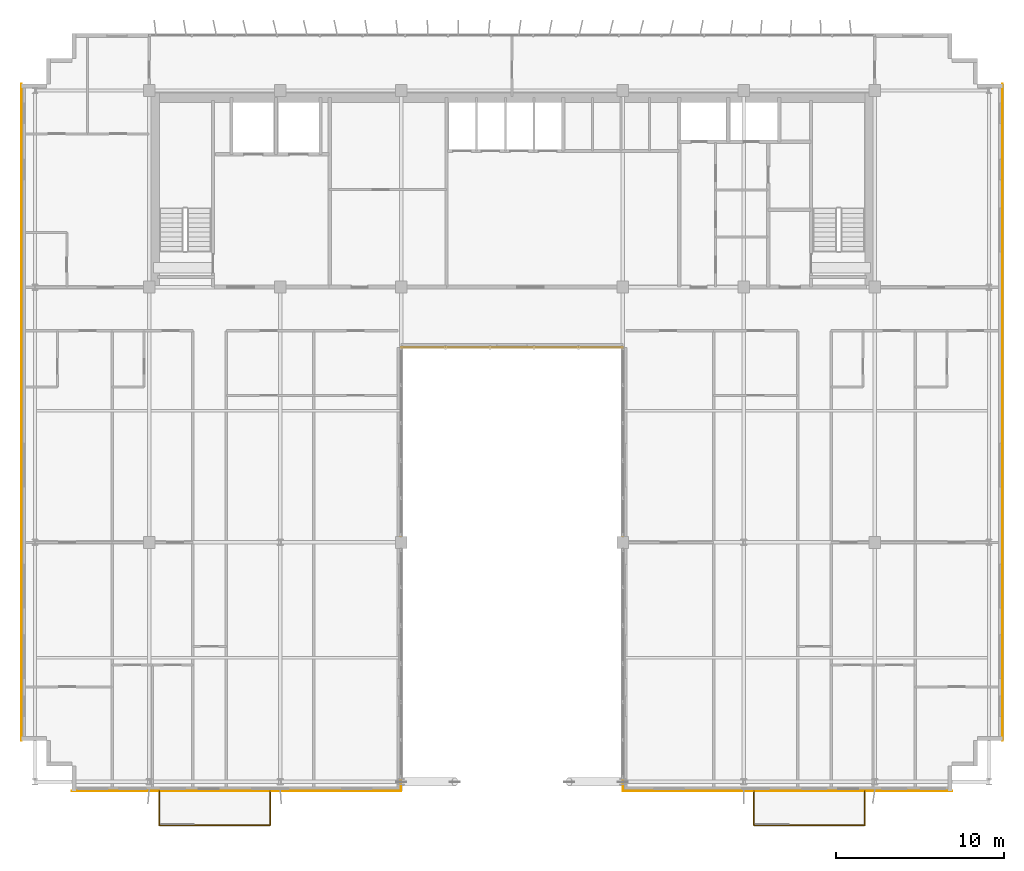
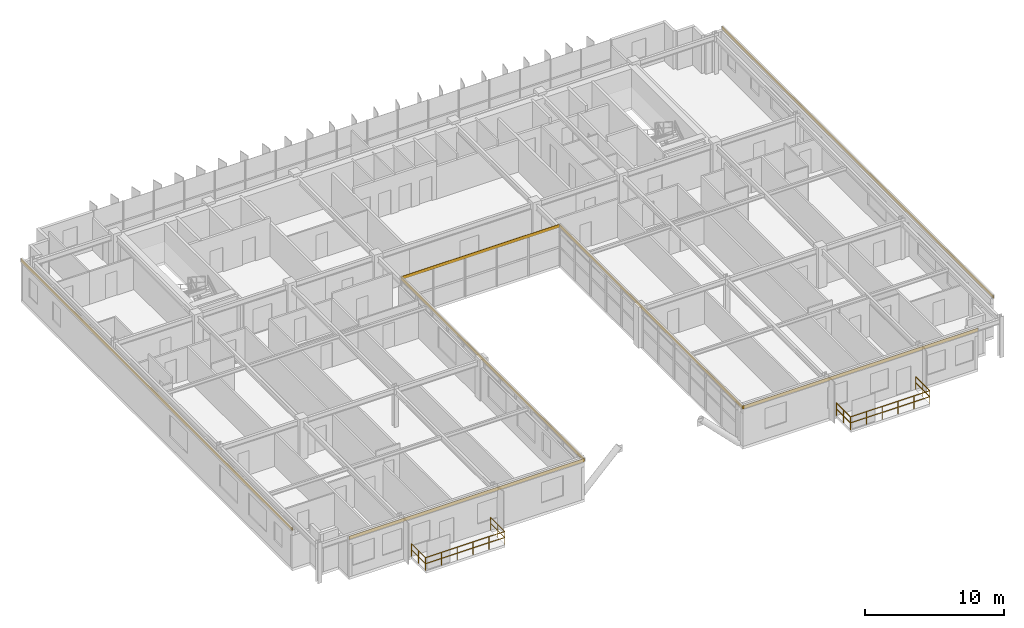
# One storey, part 34 of 35: 7 coverings, 6 railings.
"""IFC4 building model written with IfcOpenShell, lengths in metres."""

from ifc_helpers import new_model, si_unit, direction, frame, origin, origin_2d, place, context, subcontext, project, spatial, rectangle, extrude, source, transform, mapped, material, layer, layer_set, type_object, element, save


model = new_model("IFC4")

# Units and contexts
model_context = context("Model", 3, precision=1e-05, world=origin(), true_north=direction((0.0, 1.0)))
body_context = subcontext(model_context, "Body", "Model", "MODEL_VIEW")
ifc_project = project(units=[si_unit("LENGTHUNIT", "METRE"), si_unit("AREAUNIT", "SQUARE_METRE"), si_unit("VOLUMEUNIT", "CUBIC_METRE"), si_unit("PLANEANGLEUNIT", "RADIAN"), si_unit("MASSUNIT", "GRAM", prefix="KILO")], contexts=[model_context])

# Site, building, storey
site_placement = place(None, origin())
site = spatial("IfcSite", under=ifc_project, at=site_placement, CompositionType="ELEMENT")
building_placement = place(site_placement, origin())
building = spatial("IfcBuilding", under=site, at=building_placement, Name="Trelvane Seafront Commons", CompositionType="ELEMENT")
storey_placement = place(building_placement, frame((0.0, 0.0, 194.10009765625)))
storey = spatial("IfcBuildingStorey", under=building, at=storey_placement, Name="L50", CompositionType="ELEMENT", Elevation=194.10009765625)

# Railings
ifc_material_1 = material(Name="Stainless steel balustrade", Category="steel")
railing_type = type_object("IfcRailingType", Name="ARCH-RAIL-BAL1150", PredefinedType="BALUSTRADE", material=ifc_material_1)
railing_1_placement = place(storey_placement, frame((16.199951171875, 3.39990234375, 0.0)))
element("IfcRailing", 1, at=railing_1_placement, inside=storey, type_object=railing_type, Name="RL-L50-BAL0-01", PredefinedType="BALUSTRADE", context=body_context, shape_type="SweptSolid", body=[
    extrude(rectangle(XDim=0.048095703125, YDim=0.048095703125, at=origin_2d()), frame((0.0, 0.0, 1.1259765625), z_axis=(0.0, -1.0, 0.0), x_axis=(1.0, 0.0, 0.0)), (0.0, 0.0, 1.0), 2.039794921875),
    extrude(rectangle(XDim=0.048095703125, YDim=0.048095703125, at=origin_2d()), frame((0.0, 0.0, 0.597900390625), z_axis=(0.0, -1.0, 0.0), x_axis=(1.0, 0.0, 0.0)), (0.0, 0.0, 1.0), 2.039794921875),
    extrude(rectangle(XDim=0.0419921875, YDim=0.0419921875, at=origin_2d()), origin(), (0.0, 0.0, 1.0), 1.1259765625),
    extrude(rectangle(XDim=0.0419921875, YDim=0.0419921875, at=origin_2d()), frame((0.0, -1.02001953125, 0.0)), (0.0, 0.0, 1.0), 1.1259765625),
    extrude(rectangle(XDim=0.0419921875, YDim=0.0419921875, at=origin_2d()), frame((0.0, -2.039794921875, 0.0)), (0.0, 0.0, 1.0), 1.1259765625),
])
railing_2_placement = place(storey_placement, frame((16.199951171875, 1.360107421875, 0.0)))
element("IfcRailing", 2, at=railing_2_placement, inside=storey, type_object=railing_type, Name="RL-L50-BAL0-02", PredefinedType="BALUSTRADE", context=body_context, shape_type="SweptSolid", body=[
    extrude(rectangle(XDim=0.048095703125, YDim=0.048095703125, at=origin_2d()), frame((0.0, 0.0, 1.1259765625), z_axis=(1.0, 0.0, 0.0), x_axis=(0.0, 1.0, 0.0)), (0.0, 0.0, 1.0), 6.60009765625),
    extrude(rectangle(XDim=0.048095703125, YDim=0.048095703125, at=origin_2d()), frame((0.0, 0.0, 0.597900390625), z_axis=(1.0, 0.0, 0.0), x_axis=(0.0, 1.0, 0.0)), (0.0, 0.0, 1.0), 6.60009765625),
    extrude(rectangle(XDim=0.0419921875, YDim=0.0419921875, at=origin_2d()), origin(), (0.0, 0.0, 1.0), 1.1259765625),
    extrude(rectangle(XDim=0.0419921875, YDim=0.0419921875, at=origin_2d()), frame((1.320068359375, 0.0, 0.0)), (0.0, 0.0, 1.0), 1.1259765625),
    extrude(rectangle(XDim=0.0419921875, YDim=0.0419921875, at=origin_2d()), frame((2.64013671875, 0.0, 0.0)), (0.0, 0.0, 1.0), 1.1259765625),
    extrude(rectangle(XDim=0.0419921875, YDim=0.0419921875, at=origin_2d()), frame((3.9599609375, 0.0, 0.0)), (0.0, 0.0, 1.0), 1.1259765625),
    extrude(rectangle(XDim=0.0419921875, YDim=0.0419921875, at=origin_2d()), frame((5.280029296875, 0.0, 0.0)), (0.0, 0.0, 1.0), 1.1259765625),
    extrude(rectangle(XDim=0.0419921875, YDim=0.0419921875, at=origin_2d()), frame((6.60009765625, 0.0, 0.0)), (0.0, 0.0, 1.0), 1.1259765625),
])
railing_3_placement = place(storey_placement, frame((22.800048828125, 1.360107421875, 0.0)))
element("IfcRailing", 3, at=railing_3_placement, inside=storey, type_object=railing_type, Name="RL-L50-BAL0-03", PredefinedType="BALUSTRADE", context=body_context, shape_type="SweptSolid", body=[
    extrude(rectangle(XDim=0.048095703125, YDim=0.048095703125, at=origin_2d()), frame((0.0, 0.0, 1.1259765625), z_axis=(0.0, 1.0, 0.0), x_axis=(-1.0, 0.0, 0.0)), (0.0, 0.0, 1.0), 2.039794921875),
    extrude(rectangle(XDim=0.048095703125, YDim=0.048095703125, at=origin_2d()), frame((0.0, 0.0, 0.597900390625), z_axis=(0.0, 1.0, 0.0), x_axis=(-1.0, 0.0, 0.0)), (0.0, 0.0, 1.0), 2.039794921875),
    extrude(rectangle(XDim=0.0419921875, YDim=0.0419921875, at=origin_2d()), origin(), (0.0, 0.0, 1.0), 1.1259765625),
    extrude(rectangle(XDim=0.0419921875, YDim=0.0419921875, at=origin_2d()), frame((0.0, 1.02001953125, 0.0)), (0.0, 0.0, 1.0), 1.1259765625),
    extrude(rectangle(XDim=0.0419921875, YDim=0.0419921875, at=origin_2d()), frame((0.0, 2.039794921875, 0.0)), (0.0, 0.0, 1.0), 1.1259765625),
])
railing_4_placement = place(storey_placement, frame((51.60009765625, 3.39990234375, 0.0)))
element("IfcRailing", 4, at=railing_4_placement, inside=storey, type_object=railing_type, Name="RL-L50-BAL1-01", PredefinedType="BALUSTRADE", context=body_context, shape_type="SweptSolid", body=[
    extrude(rectangle(XDim=0.048095703125, YDim=0.048095703125, at=origin_2d()), frame((0.0, 0.0, 1.1259765625), z_axis=(0.0, -1.0, 0.0), x_axis=(1.0, 0.0, 0.0)), (0.0, 0.0, 1.0), 2.039794921875),
    extrude(rectangle(XDim=0.048095703125, YDim=0.048095703125, at=origin_2d()), frame((0.0, 0.0, 0.597900390625), z_axis=(0.0, -1.0, 0.0), x_axis=(1.0, 0.0, 0.0)), (0.0, 0.0, 1.0), 2.039794921875),
    extrude(rectangle(XDim=0.0419921875, YDim=0.0419921875, at=origin_2d()), origin(), (0.0, 0.0, 1.0), 1.1259765625),
    extrude(rectangle(XDim=0.0419921875, YDim=0.0419921875, at=origin_2d()), frame((0.0, -1.02001953125, 0.0)), (0.0, 0.0, 1.0), 1.1259765625),
    extrude(rectangle(XDim=0.0419921875, YDim=0.0419921875, at=origin_2d()), frame((0.0, -2.039794921875, 0.0)), (0.0, 0.0, 1.0), 1.1259765625),
])
railing_5_placement = place(storey_placement, frame((51.60009765625, 1.360107421875, 0.0)))
element("IfcRailing", 5, at=railing_5_placement, inside=storey, type_object=railing_type, Name="RL-L50-BAL1-02", PredefinedType="BALUSTRADE", context=body_context, shape_type="SweptSolid", body=[
    extrude(rectangle(XDim=0.048095703125, YDim=0.048095703125, at=origin_2d()), frame((0.0, 0.0, 1.1259765625), z_axis=(1.0, 0.0, 0.0), x_axis=(0.0, 1.0, 0.0)), (0.0, 0.0, 1.0), 6.599853515625),
    extrude(rectangle(XDim=0.048095703125, YDim=0.048095703125, at=origin_2d()), frame((0.0, 0.0, 0.597900390625), z_axis=(1.0, 0.0, 0.0), x_axis=(0.0, 1.0, 0.0)), (0.0, 0.0, 1.0), 6.599853515625),
    extrude(rectangle(XDim=0.0419921875, YDim=0.0419921875, at=origin_2d()), origin(), (0.0, 0.0, 1.0), 1.1259765625),
    extrude(rectangle(XDim=0.0419921875, YDim=0.0419921875, at=origin_2d()), frame((1.320068359375, 0.0, 0.0)), (0.0, 0.0, 1.0), 1.1259765625),
    extrude(rectangle(XDim=0.0419921875, YDim=0.0419921875, at=origin_2d()), frame((2.639892578125, 0.0, 0.0)), (0.0, 0.0, 1.0), 1.1259765625),
    extrude(rectangle(XDim=0.0419921875, YDim=0.0419921875, at=origin_2d()), frame((3.9599609375, 0.0, 0.0)), (0.0, 0.0, 1.0), 1.1259765625),
    extrude(rectangle(XDim=0.0419921875, YDim=0.0419921875, at=origin_2d()), frame((5.27978515625, 0.0, 0.0)), (0.0, 0.0, 1.0), 1.1259765625),
    extrude(rectangle(XDim=0.0419921875, YDim=0.0419921875, at=origin_2d()), frame((6.599853515625, 0.0, 0.0)), (0.0, 0.0, 1.0), 1.1259765625),
])
railing_6_placement = place(storey_placement, frame((58.199951171875, 1.360107421875, 0.0)))
element("IfcRailing", 6, at=railing_6_placement, inside=storey, type_object=railing_type, Name="RL-L50-BAL1-03", PredefinedType="BALUSTRADE", context=body_context, shape_type="SweptSolid", body=[
    extrude(rectangle(XDim=0.048095703125, YDim=0.048095703125, at=origin_2d()), frame((0.0, 0.0, 1.1259765625), z_axis=(0.0, 1.0, 0.0), x_axis=(-1.0, 0.0, 0.0)), (0.0, 0.0, 1.0), 2.039794921875),
    extrude(rectangle(XDim=0.048095703125, YDim=0.048095703125, at=origin_2d()), frame((0.0, 0.0, 0.597900390625), z_axis=(0.0, 1.0, 0.0), x_axis=(-1.0, 0.0, 0.0)), (0.0, 0.0, 1.0), 2.039794921875),
    extrude(rectangle(XDim=0.0419921875, YDim=0.0419921875, at=origin_2d()), origin(), (0.0, 0.0, 1.0), 1.1259765625),
    extrude(rectangle(XDim=0.0419921875, YDim=0.0419921875, at=origin_2d()), frame((0.0, 1.02001953125, 0.0)), (0.0, 0.0, 1.0), 1.1259765625),
    extrude(rectangle(XDim=0.0419921875, YDim=0.0419921875, at=origin_2d()), frame((0.0, 2.039794921875, 0.0)), (0.0, 0.0, 1.0), 1.1259765625),
])

# Coverings
ifc_material_2 = material(Name="Anodised pale-silver aluminium", Category="aluminium")
ifc_layer = layer(ifc_material_2, 0.034912109375, Name="ARCH-COV-CLAD35")
ifc_layer_set = layer_set([ifc_layer], Name="Anodised pale-silver aluminium")
covering_type = type_object("IfcCoveringType", Name="ARCH-COV-CLAD35", PredefinedType="CLADDING", material=ifc_layer_set)
shared_shape_1 = source(origin(), body_context, "Body", "SweptSolid", [
    extrude(rectangle(XDim=39.10009765625, YDim=0.034912109375, at=origin_2d()), origin(), (0.0, 0.0, 1.0), 0.280029296875),
])
for number, where, z_axis, x_axis, name in (
    (7, (8.0, 25.949951171875, 3.31982421875), (0.0, 0.0, 1.0), (0.0, 1.0, 0.0), "CLD-L50-00202"),
    (8, (66.39990234375, 25.949951171875, 3.31982421875), (0.0, 0.0, 1.0), (0.0, -1.0, 0.0), "CLD-L50-00203"),
):
    element("IfcCovering", number, at=place(storey_placement, frame(where, z_axis=z_axis, x_axis=x_axis)), inside=storey, type_object=covering_type, Name=name, PredefinedType="CLADDING", context=body_context, shape_type="MappedRepresentation", body=[
        mapped(shared_shape_1, transform((0.0, 0.0, 0.0), x_axis=(1.0, 0.0, 0.0), y_axis=(0.0, 1.0, 0.0), z_axis=(0.0, 0.0, 1.0), scale=1.0)),
    ])
shared_shape_2 = source(origin(), body_context, "Body", "SweptSolid", [
    extrude(rectangle(XDim=19.60009765625, YDim=0.034912109375, at=origin_2d()), origin(), (0.0, 0.0, 1.0), 0.280029296875),
])
for number, where, z_axis, x_axis, name in (
    (9, (53.60009765625, 3.39990234375, 3.31982421875), (0.0, 0.0, 1.0), (-1.0, 0.0, 0.0), "CLD-L50-00204"),
    (10, (20.800048828125, 3.39990234375, 3.31982421875), (0.0, 0.0, 1.0), (-1.0, 0.0, 0.0), "CLD-L50-00208"),
):
    element("IfcCovering", number, at=place(storey_placement, frame(where, z_axis=z_axis, x_axis=x_axis)), inside=storey, type_object=covering_type, Name=name, PredefinedType="CLADDING", context=body_context, shape_type="MappedRepresentation", body=[
        mapped(shared_shape_2, transform((0.0, 0.0, 0.0), x_axis=(1.0, 0.0, 0.0), y_axis=(0.0, 1.0, 0.0), z_axis=(0.0, 0.0, 1.0), scale=1.0)),
    ])
shared_shape_3 = source(origin(), body_context, "Body", "SweptSolid", [
    extrude(rectangle(XDim=26.39990234375, YDim=0.034912109375, at=origin_2d()), origin(), (0.0, 0.0, 1.0), 0.280029296875),
])
for number, where, z_axis, x_axis, name in (
    (11, (43.800048828125, 16.60009765625, 3.31982421875), (0.0, 0.0, 1.0), (0.0, 1.0, 0.0), "CLD-L50-00205"),
    (12, (30.60009765625, 16.60009765625, 3.31982421875), (0.0, 0.0, 1.0), (0.0, -1.0, 0.0), "CLD-L50-00207"),
):
    element("IfcCovering", number, at=place(storey_placement, frame(where, z_axis=z_axis, x_axis=x_axis)), inside=storey, type_object=covering_type, Name=name, PredefinedType="CLADDING", context=body_context, shape_type="MappedRepresentation", body=[
        mapped(shared_shape_3, transform((0.0, 0.0, 0.0), x_axis=(1.0, 0.0, 0.0), y_axis=(0.0, 1.0, 0.0), z_axis=(0.0, 0.0, 1.0), scale=1.0)),
    ])
shared_shape_4 = source(origin(), body_context, "Body", "SweptSolid", [
    extrude(rectangle(XDim=13.199951171875, YDim=0.034912109375, at=origin_2d()), origin(), (0.0, 0.0, 1.0), 0.280029296875),
])
covering_placement = place(storey_placement, frame((37.199951171875, 29.800048828125, 3.31982421875), z_axis=(0.0, 0.0, 1.0), x_axis=(-1.0, 0.0, 0.0)))
element("IfcCovering", 13, at=covering_placement, inside=storey, type_object=covering_type, Name="CLD-L50-00206", PredefinedType="CLADDING", context=body_context, shape_type="MappedRepresentation", body=[
    mapped(shared_shape_4, transform((0.0, 0.0, 0.0), x_axis=(1.0, 0.0, 0.0), y_axis=(0.0, 1.0, 0.0), z_axis=(0.0, 0.0, 1.0), scale=1.0)),
])

save(model, "model.ifc")
